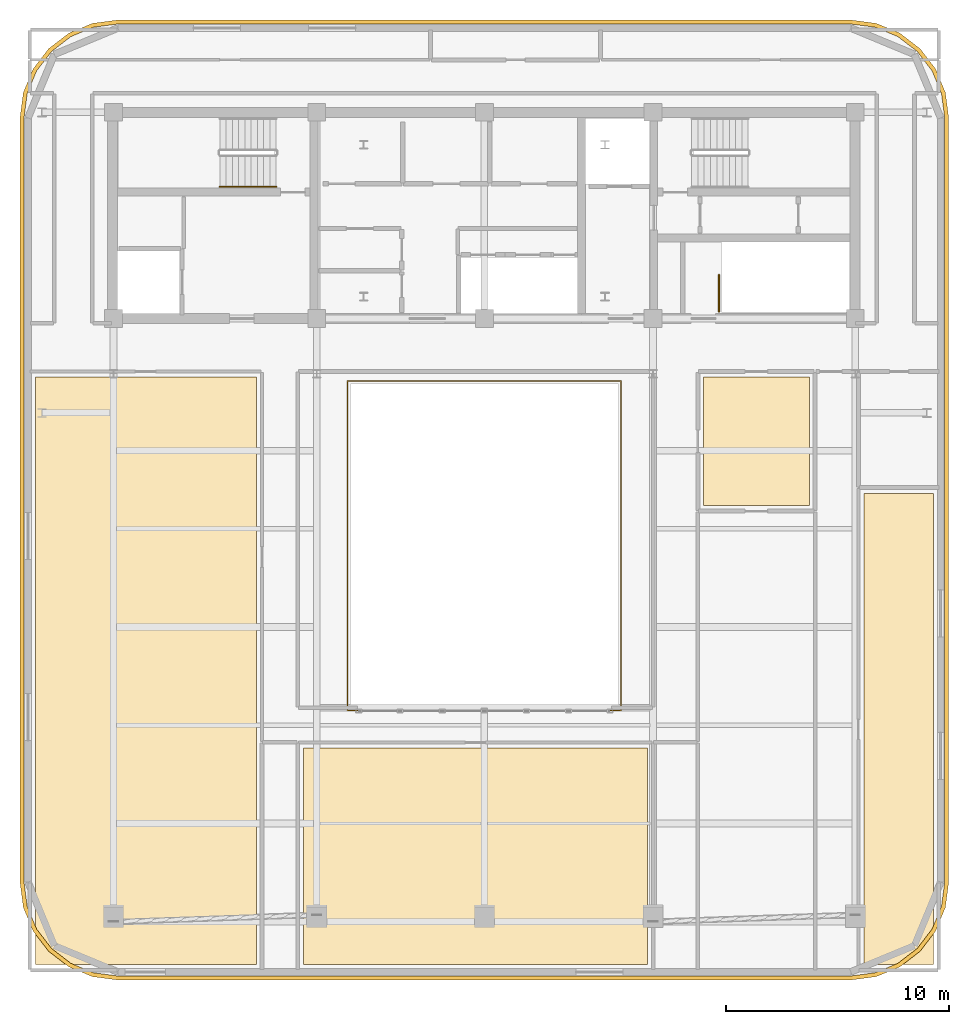
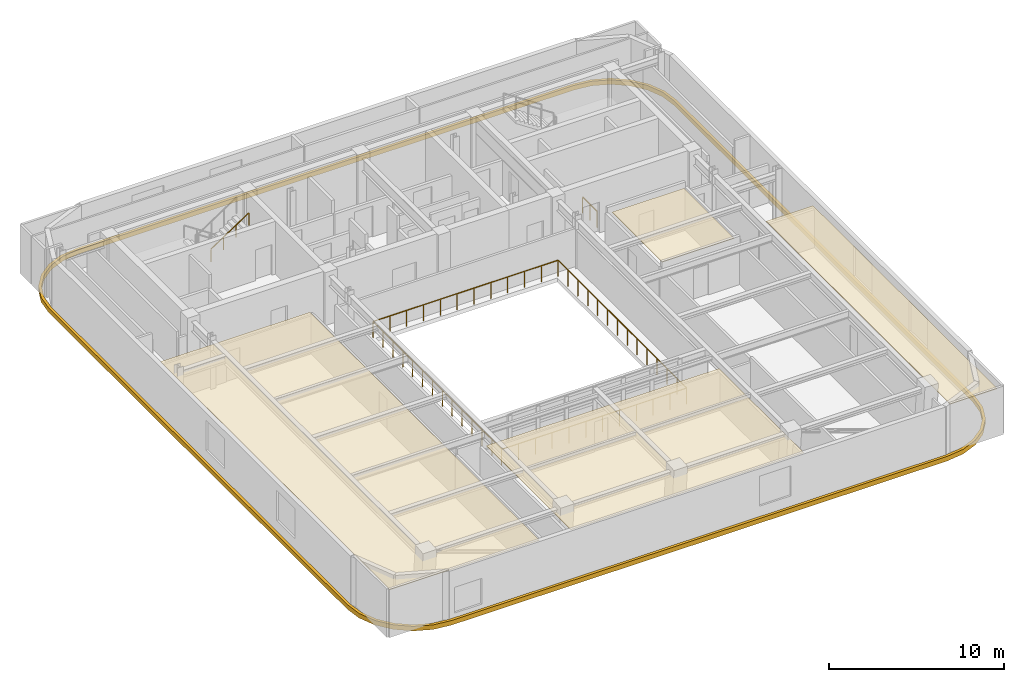
# One storey, part 10 of 11: 5 coverings, 3 railings.
"""IFC4 building model written with IfcOpenShell, lengths in metres."""

from ifc_helpers import new_model, si_unit, direction, frame, origin, origin_2d, place, context, subcontext, project, spatial, polyline, rectangle, outline, extrude, material, layer, layer_set, type_object, element, save


model = new_model("IFC4")

# Units and contexts
model_context = context("Model", 3, precision=1e-05, world=origin(), true_north=direction((0.0, 1.0)))
body_context = subcontext(model_context, "Body", "Model", "MODEL_VIEW")
ifc_project = project(units=[si_unit("LENGTHUNIT", "METRE"), si_unit("AREAUNIT", "SQUARE_METRE"), si_unit("VOLUMEUNIT", "CUBIC_METRE"), si_unit("PLANEANGLEUNIT", "RADIAN"), si_unit("MASSUNIT", "GRAM", prefix="KILO")], contexts=[model_context])

# Site, building, storey
site_placement = place(None, origin())
site = spatial("IfcSite", under=ifc_project, at=site_placement, CompositionType="ELEMENT")
building_placement = place(site_placement, origin())
building = spatial("IfcBuilding", under=site, at=building_placement, Name="Zarnavel Station Tower", CompositionType="ELEMENT")
storey_placement = place(building_placement, frame((0.0, 0.0, 276.89990234375)))
storey = spatial("IfcBuildingStorey", under=building, at=storey_placement, Name="L75", CompositionType="ELEMENT", Elevation=276.89990234375)

# Coverings
ifc_material_1 = material(Name="Perforated Gypsum and Mineral-Wool Acoustic Ceiling", Category="concrete")
ifc_layer = layer(ifc_material_1, 0.0400390625)
ifc_layer_set = layer_set([ifc_layer], Name="COV_CEIL_ACOUSTIC")
covering_type_1 = type_object("IfcCoveringType", Name="COV_CEIL_ACOUSTIC", PredefinedType="CEILING", material=ifc_layer_set)
covering_1_placement = place(storey_placement, frame((0.0, 0.0, 3.06005859375)))
element("IfcCovering", 1, at=covering_1_placement, inside=storey, type_object=covering_type_1, Name="L75 SREST Acoustic Ceiling", PredefinedType="CEILING", context=body_context, shape_type="SweptSolid", body=[
    extrude(outline(polyline([(8.7099609375, -1.090087890625), (18.60009765625, -1.090087890625), (18.60009765625, 25.199951171875), (8.7099609375, 25.199951171875), (8.7099609375, -1.090087890625)])), origin(), (0.0, 0.0, 1.0), 0.0400390625),
])
covering_2_placement = place(storey_placement, frame((0.0, 0.0, 3.06005859375)))
element("IfcCovering", 2, at=covering_2_placement, inside=storey, type_object=covering_type_1, Name="L75 SBAR Acoustic Ceiling", PredefinedType="CEILING", context=body_context, shape_type="SweptSolid", body=[
    extrude(outline(polyline([(20.699951171875, -1.090087890625), (36.10009765625, -1.090087890625), (36.10009765625, 8.60009765625), (20.699951171875, 8.60009765625), (20.699951171875, -1.090087890625)])), origin(), (0.0, 0.0, 1.0), 0.0400390625),
])
covering_3_placement = place(storey_placement, frame((0.0, 0.0, 3.06005859375)))
element("IfcCovering", 3, at=covering_3_placement, inside=storey, type_object=covering_type_1, Name="L75 SKIT Acoustic Ceiling", PredefinedType="CEILING", context=body_context, shape_type="SweptSolid", body=[
    extrude(outline(polyline([(38.60009765625, 19.449951171875), (43.35009765625, 19.449951171875), (43.35009765625, 25.199951171875), (38.60009765625, 25.199951171875), (38.60009765625, 19.449951171875)])), origin(), (0.0, 0.0, 1.0), 0.0400390625),
])
covering_4_placement = place(storey_placement, frame((0.0, 0.0, 3.06005859375)))
element("IfcCovering", 4, at=covering_4_placement, inside=storey, type_object=covering_type_1, Name="L75 SLGN Acoustic Ceiling", PredefinedType="CEILING", context=body_context, shape_type="SweptSolid", body=[
    extrude(outline(polyline([(45.7900390625, -1.090087890625), (48.889892578125, -1.090087890625), (48.889892578125, 20.0), (45.7900390625, 20.0), (45.7900390625, -1.090087890625)])), origin(), (0.0, 0.0, 1.0), 0.0400390625),
])
ifc_material_2 = material(Name="Precast concrete C45/55 (Pale Travertine Slab Band)", Category="masonry")
covering_type_2 = type_object("IfcCoveringType", Name="COV_TRAVERTINE_BAND", PredefinedType="CLADDING", material=ifc_material_2)
covering_5_placement = place(storey_placement, frame((0.0, 0.0, -0.260009765625)))
element("IfcCovering", 5, at=covering_5_placement, inside=storey, type_object=covering_type_2, Name="L75 Pale Travertine Slab-Edge Band", PredefinedType="CLADDING", context=body_context, shape_type="SweptSolid", body=[
    extrude(outline(polyline([(45.199951171875, -1.780029296875), (46.33349609375, -1.630859375), (47.389892578125, -1.193115234375), (48.297119140625, -0.4970703125), (48.9931640625, 0.409912109375), (49.430908203125, 1.46630859375), (49.580078125, 2.60009765625), (49.580078125, 36.800048828125), (49.430908203125, 37.93359375), (48.9931640625, 38.989990234375), (48.297119140625, 39.897216796875), (47.389892578125, 40.59326171875), (46.33349609375, 41.03076171875), (45.199951171875, 41.179931640625), (12.39990234375, 41.179931640625), (11.266357421875, 41.03076171875), (10.2099609375, 40.59326171875), (9.302978515625, 39.897216796875), (8.606689453125, 38.989990234375), (8.169189453125, 37.93359375), (8.02001953125, 36.800048828125), (8.02001953125, 2.60009765625), (8.169189453125, 1.46630859375), (8.606689453125, 0.409912109375), (9.302978515625, -0.4970703125), (10.2099609375, -1.193115234375), (11.266357421875, -1.630859375), (12.39990234375, -1.780029296875), (45.199951171875, -1.780029296875)]), holes=[polyline([(45.199951171875, -1.60009765625), (46.287109375, -1.456787109375), (47.300048828125, -1.037353515625), (48.169921875, -0.369873046875), (48.83740234375, 0.5), (49.2568359375, 1.512939453125), (49.39990234375, 2.60009765625), (49.39990234375, 36.800048828125), (49.2568359375, 37.886962890625), (48.83740234375, 38.89990234375), (48.169921875, 39.769775390625), (47.300048828125, 40.437255859375), (46.287109375, 40.85693359375), (45.199951171875, 41.0), (12.39990234375, 41.0), (11.31298828125, 40.85693359375), (10.300048828125, 40.437255859375), (9.43017578125, 39.769775390625), (8.7626953125, 38.89990234375), (8.343017578125, 37.886962890625), (8.199951171875, 36.800048828125), (8.199951171875, 2.60009765625), (8.343017578125, 1.512939453125), (8.7626953125, 0.5), (9.43017578125, -0.369873046875), (10.300048828125, -1.037353515625), (11.31298828125, -1.456787109375), (12.39990234375, -1.60009765625), (45.199951171875, -1.60009765625)])]), origin(), (0.0, 0.0, 1.0), 0.320068359375),
])

# Railings
ifc_material_3 = material(Name="Painted Steel S355J2 Balustrade", Category="steel")
railing_type_1 = type_object("IfcRailingType", Name="GR_INT_1150", PredefinedType="GUARDRAIL", material=ifc_material_3)
railing_1_placement = place(storey_placement, frame((39.300048828125, 28.1201171875, 0.0)))
element("IfcRailing", 6, at=railing_1_placement, inside=storey, type_object=railing_type_1, Name="L75 ST3 top well guard 1", PredefinedType="GUARDRAIL", context=body_context, shape_type="SweptSolid", body=[
    extrude(rectangle(XDim=0.048095703125, YDim=0.048095703125, at=origin_2d()), frame((0.0, 0.001953125, 1.1259765625), z_axis=(0.0, 1.0, 0.0), x_axis=(-1.0, 0.0, 0.0)), (0.0, 0.0, 1.0), 1.656005859375),
    extrude(rectangle(XDim=0.0419921875, YDim=0.0419921875, at=origin_2d()), origin(), (0.0, 0.0, 1.0), 1.101806640625),
    extrude(rectangle(XDim=0.0419921875, YDim=0.0419921875, at=origin_2d()), frame((0.0, 0.830078125, 0.0)), (0.0, 0.0, 1.0), 1.101806640625),
    extrude(rectangle(XDim=0.0419921875, YDim=0.0419921875, at=origin_2d()), frame((0.0, 1.659912109375, 0.0)), (0.0, 0.0, 1.0), 1.101806640625),
])
railing_2_placement = place(storey_placement, frame((22.679931640625, 10.280029296875, 0.0)))
element("IfcRailing", 7, at=railing_2_placement, inside=storey, type_object=railing_type_1, Name="L75 Atrium Void Guardrail", PredefinedType="GUARDRAIL", context=body_context, shape_type="SweptSolid", body=[
    extrude(rectangle(XDim=0.048095703125, YDim=0.048095703125, at=origin_2d()), frame((0.001953125, 0.0, 1.1259765625), z_axis=(1.0, 0.0, 0.0), x_axis=(0.0, 1.0, 0.0)), (0.0, 0.0, 1.0), 12.236083984375),
    extrude(rectangle(XDim=0.048095703125, YDim=0.048095703125, at=origin_2d()), frame((12.239990234375, 0.001953125, 1.1259765625), z_axis=(0.0, 1.0, 0.0), x_axis=(-1.0, 0.0, 0.0)), (0.0, 0.0, 1.0), 14.736083984375),
    extrude(rectangle(XDim=0.048095703125, YDim=0.048095703125, at=origin_2d()), frame((12.238037109375, 14.739990234375, 1.1259765625), z_axis=(-1.0, 0.0, 0.0), x_axis=(0.0, -1.0, 0.0)), (0.0, 0.0, 1.0), 12.236083984375),
    extrude(rectangle(XDim=0.048095703125, YDim=0.048095703125, at=origin_2d()), frame((0.0, 14.738037109375, 1.1259765625), z_axis=(0.0, -1.0, 0.0), x_axis=(1.0, 0.0, 0.0)), (0.0, 0.0, 1.0), 14.736083984375),
    extrude(rectangle(XDim=0.0419921875, YDim=0.0419921875, at=origin_2d()), origin(), (0.0, 0.0, 1.0), 1.101806640625),
    extrude(rectangle(XDim=0.0419921875, YDim=0.0419921875, at=origin_2d()), frame((1.11279296875, 0.0, 0.0)), (0.0, 0.0, 1.0), 1.101806640625),
    extrude(rectangle(XDim=0.0419921875, YDim=0.0419921875, at=origin_2d()), frame((2.225341796875, 0.0, 0.0)), (0.0, 0.0, 1.0), 1.101806640625),
    extrude(rectangle(XDim=0.0419921875, YDim=0.0419921875, at=origin_2d()), frame((3.338134765625, 0.0, 0.0)), (0.0, 0.0, 1.0), 1.101806640625),
    extrude(rectangle(XDim=0.0419921875, YDim=0.0419921875, at=origin_2d()), frame((4.450927734375, 0.0, 0.0)), (0.0, 0.0, 1.0), 1.101806640625),
    extrude(rectangle(XDim=0.0419921875, YDim=0.0419921875, at=origin_2d()), frame((5.563720703125, 0.0, 0.0)), (0.0, 0.0, 1.0), 1.101806640625),
    extrude(rectangle(XDim=0.0419921875, YDim=0.0419921875, at=origin_2d()), frame((6.67626953125, 0.0, 0.0)), (0.0, 0.0, 1.0), 1.101806640625),
    extrude(rectangle(XDim=0.0419921875, YDim=0.0419921875, at=origin_2d()), frame((7.7890625, 0.0, 0.0)), (0.0, 0.0, 1.0), 1.101806640625),
    extrude(rectangle(XDim=0.0419921875, YDim=0.0419921875, at=origin_2d()), frame((8.90185546875, 0.0, 0.0)), (0.0, 0.0, 1.0), 1.101806640625),
    extrude(rectangle(XDim=0.0419921875, YDim=0.0419921875, at=origin_2d()), frame((10.0146484375, 0.0, 0.0)), (0.0, 0.0, 1.0), 1.101806640625),
    extrude(rectangle(XDim=0.0419921875, YDim=0.0419921875, at=origin_2d()), frame((11.127197265625, 0.0, 0.0)), (0.0, 0.0, 1.0), 1.101806640625),
    extrude(rectangle(XDim=0.0419921875, YDim=0.0419921875, at=origin_2d()), frame((12.239990234375, 0.0, 0.0)), (0.0, 0.0, 1.0), 1.101806640625),
    extrude(rectangle(XDim=0.0419921875, YDim=0.0419921875, at=origin_2d()), frame((12.239990234375, 1.1337890625, 0.0)), (0.0, 0.0, 1.0), 1.101806640625),
    extrude(rectangle(XDim=0.0419921875, YDim=0.0419921875, at=origin_2d()), frame((12.239990234375, 2.267578125, 0.0)), (0.0, 0.0, 1.0), 1.101806640625),
    extrude(rectangle(XDim=0.0419921875, YDim=0.0419921875, at=origin_2d()), frame((12.239990234375, 3.401611328125, 0.0)), (0.0, 0.0, 1.0), 1.101806640625),
    extrude(rectangle(XDim=0.0419921875, YDim=0.0419921875, at=origin_2d()), frame((12.239990234375, 4.535400390625, 0.0)), (0.0, 0.0, 1.0), 1.101806640625),
    extrude(rectangle(XDim=0.0419921875, YDim=0.0419921875, at=origin_2d()), frame((12.239990234375, 5.669189453125, 0.0)), (0.0, 0.0, 1.0), 1.101806640625),
    extrude(rectangle(XDim=0.0419921875, YDim=0.0419921875, at=origin_2d()), frame((12.239990234375, 6.802978515625, 0.0)), (0.0, 0.0, 1.0), 1.101806640625),
    extrude(rectangle(XDim=0.0419921875, YDim=0.0419921875, at=origin_2d()), frame((12.239990234375, 7.93701171875, 0.0)), (0.0, 0.0, 1.0), 1.101806640625),
    extrude(rectangle(XDim=0.0419921875, YDim=0.0419921875, at=origin_2d()), frame((12.239990234375, 9.07080078125, 0.0)), (0.0, 0.0, 1.0), 1.101806640625),
    extrude(rectangle(XDim=0.0419921875, YDim=0.0419921875, at=origin_2d()), frame((12.239990234375, 10.20458984375, 0.0)), (0.0, 0.0, 1.0), 1.101806640625),
    extrude(rectangle(XDim=0.0419921875, YDim=0.0419921875, at=origin_2d()), frame((12.239990234375, 11.33837890625, 0.0)), (0.0, 0.0, 1.0), 1.101806640625),
    extrude(rectangle(XDim=0.0419921875, YDim=0.0419921875, at=origin_2d()), frame((12.239990234375, 12.472412109375, 0.0)), (0.0, 0.0, 1.0), 1.101806640625),
    extrude(rectangle(XDim=0.0419921875, YDim=0.0419921875, at=origin_2d()), frame((12.239990234375, 13.606201171875, 0.0)), (0.0, 0.0, 1.0), 1.101806640625),
    extrude(rectangle(XDim=0.0419921875, YDim=0.0419921875, at=origin_2d()), frame((12.239990234375, 14.739990234375, 0.0)), (0.0, 0.0, 1.0), 1.101806640625),
    extrude(rectangle(XDim=0.0419921875, YDim=0.0419921875, at=origin_2d()), frame((11.127197265625, 14.739990234375, 0.0)), (0.0, 0.0, 1.0), 1.101806640625),
    extrude(rectangle(XDim=0.0419921875, YDim=0.0419921875, at=origin_2d()), frame((10.0146484375, 14.739990234375, 0.0)), (0.0, 0.0, 1.0), 1.101806640625),
    extrude(rectangle(XDim=0.0419921875, YDim=0.0419921875, at=origin_2d()), frame((8.90185546875, 14.739990234375, 0.0)), (0.0, 0.0, 1.0), 1.101806640625),
    extrude(rectangle(XDim=0.0419921875, YDim=0.0419921875, at=origin_2d()), frame((7.7890625, 14.739990234375, 0.0)), (0.0, 0.0, 1.0), 1.101806640625),
    extrude(rectangle(XDim=0.0419921875, YDim=0.0419921875, at=origin_2d()), frame((6.67626953125, 14.739990234375, 0.0)), (0.0, 0.0, 1.0), 1.101806640625),
    extrude(rectangle(XDim=0.0419921875, YDim=0.0419921875, at=origin_2d()), frame((5.563720703125, 14.739990234375, 0.0)), (0.0, 0.0, 1.0), 1.101806640625),
    extrude(rectangle(XDim=0.0419921875, YDim=0.0419921875, at=origin_2d()), frame((4.450927734375, 14.739990234375, 0.0)), (0.0, 0.0, 1.0), 1.101806640625),
    extrude(rectangle(XDim=0.0419921875, YDim=0.0419921875, at=origin_2d()), frame((3.338134765625, 14.739990234375, 0.0)), (0.0, 0.0, 1.0), 1.101806640625),
    extrude(rectangle(XDim=0.0419921875, YDim=0.0419921875, at=origin_2d()), frame((2.225341796875, 14.739990234375, 0.0)), (0.0, 0.0, 1.0), 1.101806640625),
    extrude(rectangle(XDim=0.0419921875, YDim=0.0419921875, at=origin_2d()), frame((1.11279296875, 14.739990234375, 0.0)), (0.0, 0.0, 1.0), 1.101806640625),
    extrude(rectangle(XDim=0.0419921875, YDim=0.0419921875, at=origin_2d()), frame((0.0, 14.739990234375, 0.0)), (0.0, 0.0, 1.0), 1.101806640625),
    extrude(rectangle(XDim=0.0419921875, YDim=0.0419921875, at=origin_2d()), frame((0.0, 13.606201171875, 0.0)), (0.0, 0.0, 1.0), 1.101806640625),
    extrude(rectangle(XDim=0.0419921875, YDim=0.0419921875, at=origin_2d()), frame((0.0, 12.472412109375, 0.0)), (0.0, 0.0, 1.0), 1.101806640625),
    extrude(rectangle(XDim=0.0419921875, YDim=0.0419921875, at=origin_2d()), frame((0.0, 11.33837890625, 0.0)), (0.0, 0.0, 1.0), 1.101806640625),
    extrude(rectangle(XDim=0.0419921875, YDim=0.0419921875, at=origin_2d()), frame((0.0, 10.20458984375, 0.0)), (0.0, 0.0, 1.0), 1.101806640625),
    extrude(rectangle(XDim=0.0419921875, YDim=0.0419921875, at=origin_2d()), frame((0.0, 9.07080078125, 0.0)), (0.0, 0.0, 1.0), 1.101806640625),
    extrude(rectangle(XDim=0.0419921875, YDim=0.0419921875, at=origin_2d()), frame((0.0, 7.93701171875, 0.0)), (0.0, 0.0, 1.0), 1.101806640625),
    extrude(rectangle(XDim=0.0419921875, YDim=0.0419921875, at=origin_2d()), frame((0.0, 6.802978515625, 0.0)), (0.0, 0.0, 1.0), 1.101806640625),
    extrude(rectangle(XDim=0.0419921875, YDim=0.0419921875, at=origin_2d()), frame((0.0, 5.669189453125, 0.0)), (0.0, 0.0, 1.0), 1.101806640625),
    extrude(rectangle(XDim=0.0419921875, YDim=0.0419921875, at=origin_2d()), frame((0.0, 4.535400390625, 0.0)), (0.0, 0.0, 1.0), 1.101806640625),
    extrude(rectangle(XDim=0.0419921875, YDim=0.0419921875, at=origin_2d()), frame((0.0, 3.401611328125, 0.0)), (0.0, 0.0, 1.0), 1.101806640625),
    extrude(rectangle(XDim=0.0419921875, YDim=0.0419921875, at=origin_2d()), frame((0.0, 2.267578125, 0.0)), (0.0, 0.0, 1.0), 1.101806640625),
    extrude(rectangle(XDim=0.0419921875, YDim=0.0419921875, at=origin_2d()), frame((0.0, 1.1337890625, 0.0)), (0.0, 0.0, 1.0), 1.101806640625),
])
ifc_material_4 = material(Name="Brushed Stainless Steel S355J2 Handrail", Category="steel")
railing_type_2 = type_object("IfcRailingType", Name="HR_STAIR_900", PredefinedType="HANDRAIL", material=ifc_material_4)
railing_3_placement = place(storey_placement, frame((16.9599609375, 33.7099609375, 2.03515625)))
element("IfcRailing", 8, at=railing_3_placement, inside=storey, type_object=railing_type_2, Name="L75 ST1 stair handrail 2", PredefinedType="HANDRAIL", context=body_context, shape_type="SweptSolid", body=[
    extrude(rectangle(XDim=0.048095703125, YDim=0.048095703125, at=origin_2d()), frame((0.001708984375, 0.0, 0.876953125), z_axis=(0.834331337432, 0.0, 0.55126329406), x_axis=(0.0, 1.0, 0.0)), (0.0, 0.0, 1.0), 3.016357421875),
    extrude(rectangle(XDim=0.0419921875, YDim=0.0419921875, at=origin_2d()), origin(), (0.0, 0.0, 1.0), 0.851806640625),
    extrude(rectangle(XDim=0.0419921875, YDim=0.0419921875, at=origin_2d()), frame((0.840087890625, 0.0, 0.554931640625)), (0.0, 0.0, 1.0), 0.851806640625),
    extrude(rectangle(XDim=0.0419921875, YDim=0.0419921875, at=origin_2d()), frame((1.679931640625, 0.0, 1.110107421875)), (0.0, 0.0, 1.0), 0.851806640625),
    extrude(rectangle(XDim=0.0419921875, YDim=0.0419921875, at=origin_2d()), frame((2.52001953125, 0.0, 1.6650390625)), (0.0, 0.0, 1.0), 0.851806640625),
])

save(model, "model.ifc")
